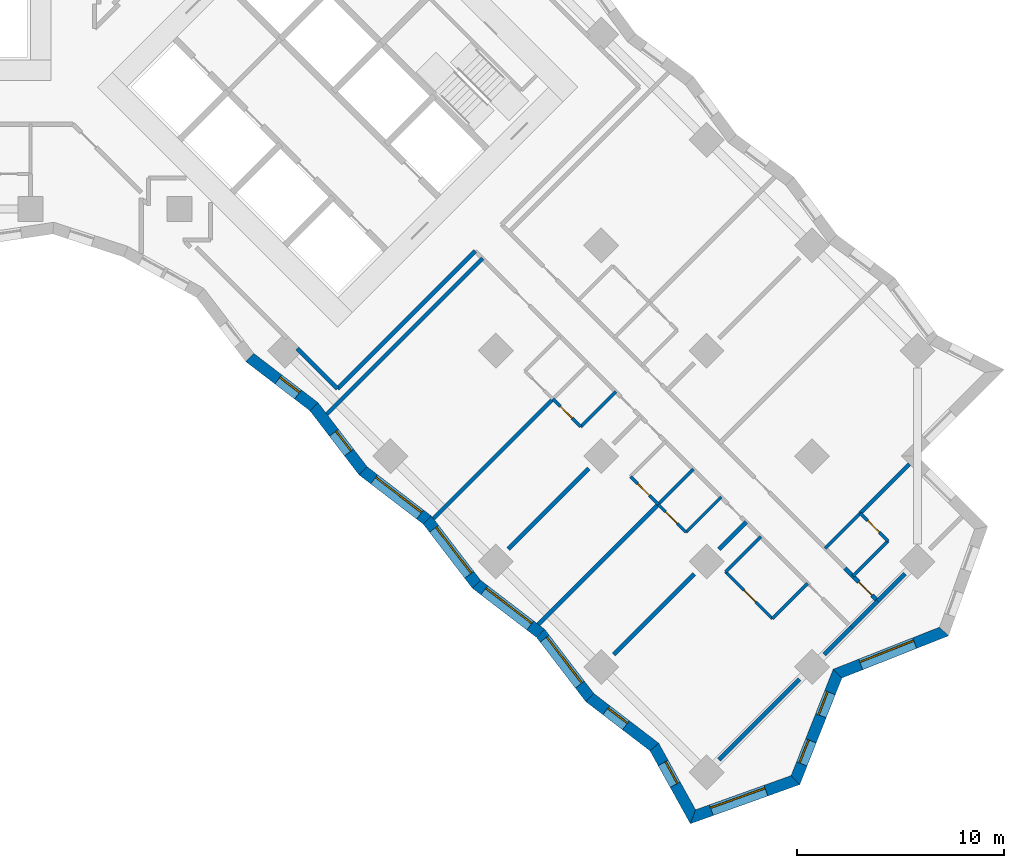
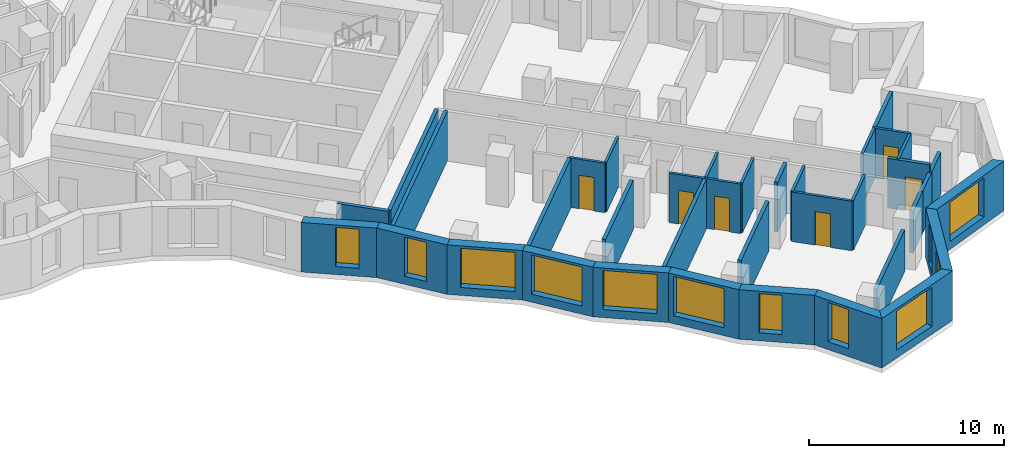
# One storey, part 7 of 12: 37 walls, 12 windows, 6 doors, 18 openings.
"""IFC4 building model written with IfcOpenShell, lengths in metres."""

from ifc_helpers import new_model, si_unit, direction, frame, frame_2d, origin, place, context, subcontext, project, spatial, polyline, rectangle, outline, extrude, material, layer, layer_set, type_object, element, fill, save


model = new_model("IFC4")

# Units and contexts
model_context = context("Model", 3, precision=1e-05, world=origin(), true_north=direction((0.0, 1.0)))
body_context = subcontext(model_context, "Body", "Model", "MODEL_VIEW")
ifc_project = project(units=[si_unit("LENGTHUNIT", "METRE"), si_unit("AREAUNIT", "SQUARE_METRE"), si_unit("VOLUMEUNIT", "CUBIC_METRE"), si_unit("PLANEANGLEUNIT", "RADIAN"), si_unit("MASSUNIT", "GRAM", prefix="KILO")], contexts=[model_context])

# Site, building, storey
site_placement = place(None, origin())
site = spatial("IfcSite", under=ifc_project, at=site_placement, CompositionType="ELEMENT")
building_placement = place(site_placement, origin())
building = spatial("IfcBuilding", under=site, at=building_placement, Name="Windrow Commons", CompositionType="ELEMENT")
storey_placement = place(building_placement, frame((0.0, 0.0, 50.8)))
storey = spatial("IfcBuildingStorey", under=building, at=storey_placement, Name="L13", CompositionType="ELEMENT", Elevation=50.8)

# Wall, opening, window
ifc_material_1 = material(Name="Brick masonry, red clay brick", Category="masonry")
ifc_layer_1 = layer(ifc_material_1, 0.55)
ifc_layer_set_1 = layer_set([ifc_layer_1], Name="Brick facade wall 550")
wall_type_1 = type_object("IfcWallType", Name="Brick facade wall 550", PredefinedType="SOLIDWALL", material=ifc_layer_set_1)
wall_1_placement = place(storey_placement, frame((103.9968, 13.8515, 0.0), z_axis=(0.0, 0.0, 1.0), x_axis=(0.9414545873, 0.3371398227, 0.0)))
wall_1 = element("IfcWall", 1, at=wall_1_placement, inside=storey, type_object=wall_type_1, Name="Brick facade wall L13 1", PredefinedType="SOLIDWALL", context=body_context, shape_type="SweptSolid", body=[
    extrude(outline(polyline([(-0.2338, -0.275), (5.3828, -0.275), (5.1338, 0.275), (0.2338, 0.275), (-0.2338, -0.275)])), origin(), (0.0, 0.0, 1.0), 3.1),
])
opening_1_placement = place(wall_1_placement, frame((0.9429, 0.0, 0.5)))
opening_1 = element("IfcOpeningElement", 2, at=opening_1_placement, cuts=wall_1, Name="Opening W1T", PredefinedType="OPENING", context=body_context, shape_type="SweptSolid", body=[
    extrude(rectangle(XDim=2.8, YDim=2.45, at=frame_2d((1.4, 1.225))), frame((0.0, 0.285, 0.0), z_axis=(0.0, -1.0, 0.0), x_axis=(1.0, 0.0, 0.0)), (0.0, 0.0, 1.0), 0.57),
])
ifc_material_2 = material(Name="Clear float glass in anodised aluminium frame", Category="aluminium")
window_type_1 = type_object("IfcWindowType", Name="Window W1T bedroom 2800x2450", PartitioningType="SINGLE_PANEL", PredefinedType="WINDOW", material=ifc_material_2)
window_1_placement = place(opening_1_placement, origin())
window_1 = element("IfcWindow", 3, at=window_1_placement, inside=storey, type_object=window_type_1, Name="Window L13 1.1", OverallHeight=2.45, OverallWidth=2.8, PartitioningType="SINGLE_PANEL", PredefinedType="WINDOW", context=body_context, shape_type="SweptSolid", body=[
    extrude(rectangle(XDim=2.8, YDim=2.45, at=frame_2d((1.4, 1.225))), frame((0.0, 0.155, 0.0), z_axis=(0.0, -1.0, 0.0), x_axis=(1.0, 0.0, 0.0)), (0.0, 0.0, 1.0), 0.06),
])
fill(opening_1, window_1)

# Wall, openings, windows
wall_2_placement = place(storey_placement, frame((108.9473, 15.6243, 0.0), z_axis=(0.0, 0.0, 1.0), x_axis=(0.3677360094, 0.9299302272, 0.0)))
wall_2 = element("IfcWall", 4, at=wall_2_placement, inside=storey, type_object=wall_type_1, Name="Brick facade wall L13 2", PredefinedType="SOLIDWALL", context=body_context, shape_type="SweptSolid", body=[
    extrude(outline(polyline([(-0.1245, -0.275), (5.4096, -0.275), (5.6478, 0.275), (0.1245, 0.275), (-0.1245, -0.275)])), origin(), (0.0, 0.0, 1.0), 3.1),
])
opening_2_placement = place(wall_2_placement, frame((0.8396, 0.0, 0.5)))
opening_2 = element("IfcOpeningElement", 5, at=opening_2_placement, cuts=wall_2, Name="Opening W7D", PredefinedType="OPENING", context=body_context, shape_type="SweptSolid", body=[
    extrude(rectangle(XDim=1.2, YDim=2.45, at=frame_2d((0.6, 1.225))), frame((0.0, 0.285, 0.0), z_axis=(0.0, -1.0, 0.0), x_axis=(1.0, 0.0, 0.0)), (0.0, 0.0, 1.0), 0.57),
])
opening_3_placement = place(wall_2_placement, frame((3.3417, 0.0, 0.5)))
opening_3 = element("IfcOpeningElement", 6, at=opening_3_placement, cuts=wall_2, Name="Opening W7D", PredefinedType="OPENING", context=body_context, shape_type="SweptSolid", body=[
    extrude(rectangle(XDim=1.2, YDim=2.45, at=frame_2d((0.6, 1.225))), frame((0.0, 0.285, 0.0), z_axis=(0.0, -1.0, 0.0), x_axis=(1.0, 0.0, 0.0)), (0.0, 0.0, 1.0), 0.57),
])
ifc_material_3 = material(Name="Clear float glass in anodised aluminium frame", Category="aluminium")
window_type_2 = type_object("IfcWindowType", Name="Window W7 notch 1200x2450", PartitioningType="SINGLE_PANEL", PredefinedType="WINDOW", material=ifc_material_3)
window_2_placement = place(opening_2_placement, origin())
window_2 = element("IfcWindow", 7, at=window_2_placement, inside=storey, type_object=window_type_2, Name="Window L13 2.1", OverallHeight=2.45, OverallWidth=1.2, PartitioningType="SINGLE_PANEL", PredefinedType="WINDOW", context=body_context, shape_type="SweptSolid", body=[
    extrude(rectangle(XDim=1.2, YDim=2.45, at=frame_2d((0.6, 1.225))), frame((0.0, 0.155, 0.0), z_axis=(0.0, -1.0, 0.0), x_axis=(1.0, 0.0, 0.0)), (0.0, 0.0, 1.0), 0.06),
])
fill(opening_2, window_2)
window_3_placement = place(opening_3_placement, origin())
window_3 = element("IfcWindow", 8, at=window_3_placement, inside=storey, type_object=window_type_2, Name="Window L13 2.2", OverallHeight=2.45, OverallWidth=1.2, PartitioningType="SINGLE_PANEL", PredefinedType="WINDOW", context=body_context, shape_type="SweptSolid", body=[
    extrude(rectangle(XDim=1.2, YDim=2.45, at=frame_2d((0.6, 1.225))), frame((0.0, 0.155, 0.0), z_axis=(0.0, -1.0, 0.0), x_axis=(1.0, 0.0, 0.0)), (0.0, 0.0, 1.0), 0.06),
])
fill(opening_3, window_3)

# Wall, opening, window
wall_3_placement = place(storey_placement, frame((110.9804, 20.7656, 0.0), z_axis=(0.0, 0.0, 1.0), x_axis=(0.9299302272, 0.3677360094, 0.0)))
wall_3 = element("IfcWall", 9, at=wall_3_placement, inside=storey, type_object=wall_type_1, Name="Brick facade wall L13 3", PredefinedType="SOLIDWALL", context=body_context, shape_type="SweptSolid", body=[
    extrude(outline(polyline([(0.1191, -0.275), (5.6532, -0.275), (5.4042, 0.275), (-0.1191, 0.275), (0.1191, -0.275)])), origin(), (0.0, 0.0, 1.0), 3.1),
])
opening_4_placement = place(wall_3_placement, frame((1.2019, 0.0, 0.5)))
opening_4 = element("IfcOpeningElement", 10, at=opening_4_placement, cuts=wall_3, Name="Opening W1T", PredefinedType="OPENING", context=body_context, shape_type="SweptSolid", body=[
    extrude(rectangle(XDim=2.8, YDim=2.45, at=frame_2d((1.4, 1.225))), frame((0.0, 0.285, 0.0), z_axis=(0.0, -1.0, 0.0), x_axis=(1.0, 0.0, 0.0)), (0.0, 0.0, 1.0), 0.57),
])
window_4_placement = place(opening_4_placement, origin())
window_4 = element("IfcWindow", 11, at=window_4_placement, inside=storey, type_object=window_type_1, Name="Window L13 3.1", OverallHeight=2.45, OverallWidth=2.8, PartitioningType="SINGLE_PANEL", PredefinedType="WINDOW", context=body_context, shape_type="SweptSolid", body=[
    extrude(rectangle(XDim=2.8, YDim=2.45, at=frame_2d((1.4, 1.225))), frame((0.0, 0.155, 0.0), z_axis=(0.0, -1.0, 0.0), x_axis=(1.0, 0.0, 0.0)), (0.0, 0.0, 1.0), 0.06),
])
fill(opening_4, window_4)

wall_4_placement = place(storey_placement, frame((82.5905, 36.0336, 0.0), z_axis=(0.0, 0.0, 1.0), x_axis=(0.7937155717, -0.6082890689, 0.0)))
wall_4 = element("IfcWall", 12, at=wall_4_placement, inside=storey, type_object=wall_type_1, Name="Brick facade wall L13 56", PredefinedType="SOLIDWALL", context=body_context, shape_type="SweptSolid", body=[
    extrude(outline(polyline([(-0.0364, -0.275), (3.8686, -0.275), (3.9414, 0.275), (0.0364, 0.275), (-0.0364, -0.275)])), origin(), (0.0, 0.0, 1.0), 3.1),
])
opening_5_placement = place(wall_4_placement, frame((1.7419, 0.0, 0.5)))
opening_5 = element("IfcOpeningElement", 13, at=opening_5_placement, cuts=wall_4, Name="Opening W7D", PredefinedType="OPENING", context=body_context, shape_type="SweptSolid", body=[
    extrude(rectangle(XDim=1.2, YDim=2.45, at=frame_2d((0.6, 1.225))), frame((0.0, 0.285, 0.0), z_axis=(0.0, -1.0, 0.0), x_axis=(1.0, 0.0, 0.0)), (0.0, 0.0, 1.0), 0.57),
])
window_5_placement = place(opening_5_placement, origin())
window_5 = element("IfcWindow", 14, at=window_5_placement, inside=storey, type_object=window_type_2, Name="Window L13 56.1", OverallHeight=2.45, OverallWidth=1.2, PartitioningType="SINGLE_PANEL", PredefinedType="WINDOW", context=body_context, shape_type="SweptSolid", body=[
    extrude(rectangle(XDim=1.2, YDim=2.45, at=frame_2d((0.6, 1.225))), frame((0.0, 0.155, 0.0), z_axis=(0.0, -1.0, 0.0), x_axis=(1.0, 0.0, 0.0)), (0.0, 0.0, 1.0), 0.06),
])
fill(opening_5, window_5)

wall_5_placement = place(storey_placement, frame((85.69, 33.6582, 0.0), z_axis=(0.0, 0.0, 1.0), x_axis=(0.6082890689, -0.7937155717, 0.0)))
wall_5 = element("IfcWall", 15, at=wall_5_placement, inside=storey, type_object=wall_type_1, Name="Brick facade wall L13 57", PredefinedType="SOLIDWALL", context=body_context, shape_type="SweptSolid", body=[
    extrude(outline(polyline([(0.0364, -0.275), (3.9414, -0.275), (3.8686, 0.275), (-0.0364, 0.275), (0.0364, -0.275)])), origin(), (0.0, 0.0, 1.0), 3.1),
])
opening_6_placement = place(wall_5_placement, frame((1.5869, 0.0, 0.5)))
opening_6 = element("IfcOpeningElement", 16, at=opening_6_placement, cuts=wall_5, Name="Opening W7D", PredefinedType="OPENING", context=body_context, shape_type="SweptSolid", body=[
    extrude(rectangle(XDim=1.2, YDim=2.45, at=frame_2d((0.6, 1.225))), frame((0.0, 0.285, 0.0), z_axis=(0.0, -1.0, 0.0), x_axis=(1.0, 0.0, 0.0)), (0.0, 0.0, 1.0), 0.57),
])
window_6_placement = place(opening_6_placement, origin())
window_6 = element("IfcWindow", 17, at=window_6_placement, inside=storey, type_object=window_type_2, Name="Window L13 57.1", OverallHeight=2.45, OverallWidth=1.2, PartitioningType="SINGLE_PANEL", PredefinedType="WINDOW", context=body_context, shape_type="SweptSolid", body=[
    extrude(rectangle(XDim=1.2, YDim=2.45, at=frame_2d((0.6, 1.225))), frame((0.0, 0.155, 0.0), z_axis=(0.0, -1.0, 0.0), x_axis=(1.0, 0.0, 0.0)), (0.0, 0.0, 1.0), 0.06),
])
fill(opening_6, window_6)

wall_6_placement = place(storey_placement, frame((88.0654, 30.5587, 0.0), z_axis=(0.0, 0.0, 1.0), x_axis=(0.7937184601, -0.6082852999, 0.0)))
wall_6 = element("IfcWall", 18, at=wall_6_placement, inside=storey, type_object=wall_type_1, Name="Brick facade wall L13 58", PredefinedType="SOLIDWALL", context=body_context, shape_type="SweptSolid", body=[
    extrude(outline(polyline([(-0.0364, -0.275), (3.8686, -0.275), (3.9414, 0.275), (0.0364, 0.275), (-0.0364, -0.275)])), origin(), (0.0, 0.0, 1.0), 3.1),
])
opening_7_placement = place(wall_6_placement, frame((0.6683, 0.0, 0.5)))
opening_7 = element("IfcOpeningElement", 19, at=opening_7_placement, cuts=wall_6, Name="Opening W1T", PredefinedType="OPENING", context=body_context, shape_type="SweptSolid", body=[
    extrude(rectangle(XDim=2.8, YDim=2.45, at=frame_2d((1.4, 1.225))), frame((0.0, 0.285, 0.0), z_axis=(0.0, -1.0, 0.0), x_axis=(1.0, 0.0, 0.0)), (0.0, 0.0, 1.0), 0.57),
])
window_7_placement = place(opening_7_placement, origin())
window_7 = element("IfcWindow", 20, at=window_7_placement, inside=storey, type_object=window_type_1, Name="Window L13 58.1", OverallHeight=2.45, OverallWidth=2.8, PartitioningType="SINGLE_PANEL", PredefinedType="WINDOW", context=body_context, shape_type="SweptSolid", body=[
    extrude(rectangle(XDim=2.8, YDim=2.45, at=frame_2d((1.4, 1.225))), frame((0.0, 0.155, 0.0), z_axis=(0.0, -1.0, 0.0), x_axis=(1.0, 0.0, 0.0)), (0.0, 0.0, 1.0), 0.06),
])
fill(opening_7, window_7)

wall_7_placement = place(storey_placement, frame((91.1648, 28.1834, 0.0), z_axis=(0.0, 0.0, 1.0), x_axis=(0.6082890689, -0.7937155717, 0.0)))
wall_7 = element("IfcWall", 21, at=wall_7_placement, inside=storey, type_object=wall_type_1, Name="Brick facade wall L13 59", PredefinedType="SOLIDWALL", context=body_context, shape_type="SweptSolid", body=[
    extrude(outline(polyline([(0.0364, -0.275), (3.9414, -0.275), (3.8686, 0.275), (-0.0364, 0.275), (0.0364, -0.275)])), origin(), (0.0, 0.0, 1.0), 3.1),
])
opening_8_placement = place(wall_7_placement, frame((0.5343, 0.0, 0.5)))
opening_8 = element("IfcOpeningElement", 22, at=opening_8_placement, cuts=wall_7, Name="Opening W1T", PredefinedType="OPENING", context=body_context, shape_type="SweptSolid", body=[
    extrude(rectangle(XDim=2.8, YDim=2.45, at=frame_2d((1.4, 1.225))), frame((0.0, 0.285, 0.0), z_axis=(0.0, -1.0, 0.0), x_axis=(1.0, 0.0, 0.0)), (0.0, 0.0, 1.0), 0.57),
])
window_8_placement = place(opening_8_placement, origin())
window_8 = element("IfcWindow", 23, at=window_8_placement, inside=storey, type_object=window_type_1, Name="Window L13 59.1", OverallHeight=2.45, OverallWidth=2.8, PartitioningType="SINGLE_PANEL", PredefinedType="WINDOW", context=body_context, shape_type="SweptSolid", body=[
    extrude(rectangle(XDim=2.8, YDim=2.45, at=frame_2d((1.4, 1.225))), frame((0.0, 0.155, 0.0), z_axis=(0.0, -1.0, 0.0), x_axis=(1.0, 0.0, 0.0)), (0.0, 0.0, 1.0), 0.06),
])
fill(opening_8, window_8)

wall_8_placement = place(storey_placement, frame((93.5402, 25.0839, 0.0), z_axis=(0.0, 0.0, 1.0), x_axis=(0.7937155717, -0.6082890689, 0.0)))
wall_8 = element("IfcWall", 24, at=wall_8_placement, inside=storey, type_object=wall_type_1, Name="Brick facade wall L13 60", PredefinedType="SOLIDWALL", context=body_context, shape_type="SweptSolid", body=[
    extrude(outline(polyline([(-0.0364, -0.275), (3.8686, -0.275), (3.9414, 0.275), (0.0364, 0.275), (-0.0364, -0.275)])), origin(), (0.0, 0.0, 1.0), 3.1),
])
opening_9_placement = place(wall_8_placement, frame((0.476, 0.0, 0.5)))
opening_9 = element("IfcOpeningElement", 25, at=opening_9_placement, cuts=wall_8, Name="Opening W1T", PredefinedType="OPENING", context=body_context, shape_type="SweptSolid", body=[
    extrude(rectangle(XDim=2.8, YDim=2.45, at=frame_2d((1.4, 1.225))), frame((0.0, 0.285, 0.0), z_axis=(0.0, -1.0, 0.0), x_axis=(1.0, 0.0, 0.0)), (0.0, 0.0, 1.0), 0.57),
])
window_9_placement = place(opening_9_placement, origin())
window_9 = element("IfcWindow", 26, at=window_9_placement, inside=storey, type_object=window_type_1, Name="Window L13 60.1", OverallHeight=2.45, OverallWidth=2.8, PartitioningType="SINGLE_PANEL", PredefinedType="WINDOW", context=body_context, shape_type="SweptSolid", body=[
    extrude(rectangle(XDim=2.8, YDim=2.45, at=frame_2d((1.4, 1.225))), frame((0.0, 0.155, 0.0), z_axis=(0.0, -1.0, 0.0), x_axis=(1.0, 0.0, 0.0)), (0.0, 0.0, 1.0), 0.06),
])
fill(opening_9, window_9)

wall_9_placement = place(storey_placement, frame((96.6397, 22.7085, 0.0), z_axis=(0.0, 0.0, 1.0), x_axis=(0.6083014327, -0.7937060961, 0.0)))
wall_9 = element("IfcWall", 27, at=wall_9_placement, inside=storey, type_object=wall_type_1, Name="Brick facade wall L13 61", PredefinedType="SOLIDWALL", context=body_context, shape_type="SweptSolid", body=[
    extrude(outline(polyline([(0.0364, -0.275), (3.9414, -0.275), (3.8686, 0.275), (-0.0364, 0.275), (0.0364, -0.275)])), origin(), (0.0, 0.0, 1.0), 3.1),
])
opening_10_placement = place(wall_9_placement, frame((0.321, 0.0, 0.5)))
opening_10 = element("IfcOpeningElement", 28, at=opening_10_placement, cuts=wall_9, Name="Opening W1T", PredefinedType="OPENING", context=body_context, shape_type="SweptSolid", body=[
    extrude(rectangle(XDim=2.8, YDim=2.45, at=frame_2d((1.4, 1.225))), frame((0.0, 0.285, 0.0), z_axis=(0.0, -1.0, 0.0), x_axis=(1.0, 0.0, 0.0)), (0.0, 0.0, 1.0), 0.57),
])
window_10_placement = place(opening_10_placement, origin())
window_10 = element("IfcWindow", 29, at=window_10_placement, inside=storey, type_object=window_type_1, Name="Window L13 61.1", OverallHeight=2.45, OverallWidth=2.8, PartitioningType="SINGLE_PANEL", PredefinedType="WINDOW", context=body_context, shape_type="SweptSolid", body=[
    extrude(rectangle(XDim=2.8, YDim=2.45, at=frame_2d((1.4, 1.225))), frame((0.0, 0.155, 0.0), z_axis=(0.0, -1.0, 0.0), x_axis=(1.0, 0.0, 0.0)), (0.0, 0.0, 1.0), 0.06),
])
fill(opening_10, window_10)

wall_10_placement = place(storey_placement, frame((99.0151, 19.6091, 0.0), z_axis=(0.0, 0.0, 1.0), x_axis=(0.7937059715, -0.6083015953, 0.0)))
wall_10 = element("IfcWall", 30, at=wall_10_placement, inside=storey, type_object=wall_type_1, Name="Brick facade wall L13 62", PredefinedType="SOLIDWALL", context=body_context, shape_type="SweptSolid", body=[
    extrude(outline(polyline([(-0.0364, -0.275), (3.8686, -0.275), (3.9833, 0.275), (0.0364, 0.275), (-0.0364, -0.275)])), origin(), (0.0, 0.0, 1.0), 3.1),
])
opening_11_placement = place(wall_10_placement, frame((1.0023, 0.0, 0.5)))
opening_11 = element("IfcOpeningElement", 31, at=opening_11_placement, cuts=wall_10, Name="Opening W7D", PredefinedType="OPENING", context=body_context, shape_type="SweptSolid", body=[
    extrude(rectangle(XDim=1.2, YDim=2.45, at=frame_2d((0.6, 1.225))), frame((0.0, 0.285, 0.0), z_axis=(0.0, -1.0, 0.0), x_axis=(1.0, 0.0, 0.0)), (0.0, 0.0, 1.0), 0.57),
])
window_11_placement = place(opening_11_placement, origin())
window_11 = element("IfcWindow", 32, at=window_11_placement, inside=storey, type_object=window_type_2, Name="Window L13 62.1", OverallHeight=2.45, OverallWidth=1.2, PartitioningType="SINGLE_PANEL", PredefinedType="WINDOW", context=body_context, shape_type="SweptSolid", body=[
    extrude(rectangle(XDim=1.2, YDim=2.45, at=frame_2d((0.6, 1.225))), frame((0.0, 0.155, 0.0), z_axis=(0.0, -1.0, 0.0), x_axis=(1.0, 0.0, 0.0)), (0.0, 0.0, 1.0), 0.06),
])
fill(opening_11, window_11)

wall_11_placement = place(storey_placement, frame((102.1312, 17.2209, 0.0), z_axis=(0.0, 0.0, 1.0), x_axis=(0.4843946683, -0.8748495901, 0.0)))
wall_11 = element("IfcWall", 33, at=wall_11_placement, inside=storey, type_object=wall_type_1, Name="Brick facade wall L13 63", PredefinedType="SOLIDWALL", context=body_context, shape_type="SweptSolid", body=[
    extrude(outline(polyline([(0.0574, -0.275), (4.0852, -0.275), (3.6177, 0.275), (-0.0574, 0.275), (0.0574, -0.275)])), origin(), (0.0, 0.0, 1.0), 3.1),
])
opening_12_placement = place(wall_11_placement, frame((0.8789, 0.0, 0.5)))
opening_12 = element("IfcOpeningElement", 34, at=opening_12_placement, cuts=wall_11, Name="Opening W7D", PredefinedType="OPENING", context=body_context, shape_type="SweptSolid", body=[
    extrude(rectangle(XDim=1.2, YDim=2.45, at=frame_2d((0.6, 1.225))), frame((0.0, 0.285, 0.0), z_axis=(0.0, -1.0, 0.0), x_axis=(1.0, 0.0, 0.0)), (0.0, 0.0, 1.0), 0.57),
])
window_12_placement = place(opening_12_placement, origin())
window_12 = element("IfcWindow", 35, at=window_12_placement, inside=storey, type_object=window_type_2, Name="Window L13 63.1", OverallHeight=2.45, OverallWidth=1.2, PartitioningType="SINGLE_PANEL", PredefinedType="WINDOW", context=body_context, shape_type="SweptSolid", body=[
    extrude(rectangle(XDim=1.2, YDim=2.45, at=frame_2d((0.6, 1.225))), frame((0.0, 0.155, 0.0), z_axis=(0.0, -1.0, 0.0), x_axis=(1.0, 0.0, 0.0)), (0.0, 0.0, 1.0), 0.06),
])
fill(opening_12, window_12)

# Walls
ifc_material_4 = material(Name="Blockwork partition", Category="masonry")
ifc_layer_2 = layer(ifc_material_4, 0.2)
ifc_layer_set_2 = layer_set([ifc_layer_2], Name="IW-CORRIDOR-200")
wall_type_2 = type_object("IfcWallType", Name="IW-CORRIDOR-200", PredefinedType="PARTITIONING", material=ifc_layer_set_2)
wall_12_placement = place(storey_placement, frame((86.8359, 34.5241, 0.0), z_axis=(0.0, 0.0, 1.0), x_axis=(0.7071067812, 0.7071067812, 0.0)))
element("IfcWall", 36, at=wall_12_placement, inside=storey, type_object=wall_type_2, Name="W-L13-W013", PredefinedType="PARTITIONING", context=body_context, shape_type="SweptSolid", body=[
    extrude(rectangle(XDim=9.3989, YDim=0.2, at=frame_2d((4.6994, 0.0))), origin(), (0.0, 0.0, 1.0), 3.1),
])
wall_13_placement = place(storey_placement, frame((84.8888, 36.4648, 0.0), z_axis=(0.0, 0.0, 1.0), x_axis=(0.7071067812, -0.7071067812, 0.0)))
element("IfcWall", 37, at=wall_13_placement, inside=storey, type_object=wall_type_2, Name="W-L13-W058", PredefinedType="PARTITIONING", context=body_context, shape_type="SweptSolid", body=[
    extrude(rectangle(XDim=2.7492, YDim=0.2, at=frame_2d((1.3746, 0.0))), origin(), (0.0, 0.0, 1.0), 3.1),
])

# Wall, opening, door
wall_14_placement = place(storey_placement, frame((112.9254, 24.2674, 0.0), z_axis=(0.0, 0.0, 1.0), x_axis=(-0.7068383786, 0.707375082, 0.0)))
wall_14 = element("IfcWall", 38, at=wall_14_placement, inside=storey, type_object=wall_type_2, Name="W-L13-W095", PredefinedType="PARTITIONING", context=body_context, shape_type="SweptSolid", body=[
    extrude(rectangle(XDim=2.2359, YDim=0.2, at=frame_2d((1.1179, 0.0))), origin(), (0.0, 0.0, 1.0), 3.1),
])
opening_13_placement = place(wall_14_placement, frame((0.3995, 0.0, 0.0)))
opening_13 = element("IfcOpeningElement", 39, at=opening_13_placement, cuts=wall_14, Name="Opening D109S", PredefinedType="OPENING", context=body_context, shape_type="SweptSolid", body=[
    extrude(rectangle(XDim=0.9, YDim=2.1, at=frame_2d((0.45, 1.05))), frame((0.0, 0.11, 0.0), z_axis=(0.0, -1.0, 0.0), x_axis=(1.0, 0.0, 0.0)), (0.0, 0.0, 1.0), 0.22),
])
ifc_material_5 = material(Name="Timber door leaf", Category="wood")
door_type_1 = type_object("IfcDoorType", Name="DT-BEDROOM-900", OperationType="SINGLE_SWING_LEFT", PredefinedType="DOOR", material=ifc_material_5)
door_1_placement = place(opening_13_placement, origin())
door_1 = element("IfcDoor", 40, at=door_1_placement, inside=storey, type_object=door_type_1, Name="D-L13-D048", OperationType="SINGLE_SWING_RIGHT", OverallHeight=2.1, OverallWidth=0.9, PredefinedType="DOOR", context=body_context, shape_type="SweptSolid", body=[
    extrude(rectangle(XDim=0.9, YDim=2.1, at=frame_2d((0.45, 1.05))), frame((0.0, 0.025, 0.0), z_axis=(0.0, -1.0, 0.0), x_axis=(1.0, 0.0, 0.0)), (0.0, 0.0, 1.0), 0.05),
])
fill(opening_13, door_1)

# Wall
wall_15_placement = place(storey_placement, frame((111.6555, 22.9985, 0.0), z_axis=(0.0, 0.0, 1.0), x_axis=(0.7071067812, 0.7071067812, 0.0)))
element("IfcWall", 41, at=wall_15_placement, inside=storey, type_object=wall_type_2, Name="W-L13-W130", PredefinedType="PARTITIONING", context=body_context, shape_type="SweptSolid", body=[
    extrude(rectangle(XDim=1.7989, YDim=0.2, at=frame_2d((0.8994, 0.0))), origin(), (0.0, 0.0, 1.0), 2.6),
])

# Wall, opening, door
ifc_material_6 = material(Name="Blockwork partition", Category="masonry")
ifc_layer_3 = layer(ifc_material_6, 0.15)
ifc_layer_set_3 = layer_set([ifc_layer_3], Name="IW-ENSUITE-150")
wall_type_3 = type_object("IfcWallType", Name="IW-ENSUITE-150", PredefinedType="PARTITIONING", material=ifc_layer_set_3)
wall_16_placement = place(storey_placement, frame((105.5726, 25.6806, 0.0), z_axis=(0.0, 0.0, 1.0), x_axis=(0.7071067812, -0.7071067812, 0.0)))
wall_16 = element("IfcWall", 42, at=wall_16_placement, inside=storey, type_object=wall_type_3, Name="W-L13-W054", PredefinedType="PARTITIONING", context=body_context, shape_type="SweptSolid", body=[
    extrude(rectangle(XDim=3.199, YDim=0.15, at=frame_2d((1.5995, 0.0))), origin(), (0.0, 0.0, 1.0), 3.1),
])
opening_14_placement = place(wall_16_placement, frame((1.2585, 0.0, 0.0)))
opening_14 = element("IfcOpeningElement", 43, at=opening_14_placement, cuts=wall_16, Name="Opening D208N", PredefinedType="OPENING", context=body_context, shape_type="SweptSolid", body=[
    extrude(rectangle(XDim=0.8, YDim=2.1, at=frame_2d((0.4, 1.05))), frame((0.0, 0.085, 0.0), z_axis=(0.0, -1.0, 0.0), x_axis=(1.0, 0.0, 0.0)), (0.0, 0.0, 1.0), 0.17),
])
ifc_material_7 = material(Name="Timber door leaf", Category="wood")
door_type_2 = type_object("IfcDoorType", Name="DT-ENSUITE-800", OperationType="SINGLE_SWING_LEFT", PredefinedType="DOOR", material=ifc_material_7)
door_2_placement = place(opening_14_placement, origin())
door_2 = element("IfcDoor", 44, at=door_2_placement, inside=storey, type_object=door_type_2, Name="D-L13-D047", OperationType="SINGLE_SWING_RIGHT", OverallHeight=2.1, OverallWidth=0.8, PredefinedType="DOOR", context=body_context, shape_type="SweptSolid", body=[
    extrude(rectangle(XDim=0.8, YDim=2.1, at=frame_2d((0.4, 1.05))), frame((0.0, 0.025, 0.0), z_axis=(0.0, -1.0, 0.0), x_axis=(1.0, 0.0, 0.0)), (0.0, 0.0, 1.0), 0.05),
])
fill(opening_14, door_2)

# Walls
for number, where, z_axis, x_axis, name in (
    (45, (111.7254, 25.4726, 0.0), (0.0, 0.0, 1.0), (0.7071067812, 0.7071067812, 0.0), "W-L13-W066"),
    (46, (98.5731, 32.6849, 0.0), (0.0, 0.0, 1.0), (0.7071067812, 0.7071067812, 0.0), "W-L13-W067"),
):
    element("IfcWall", number, at=place(storey_placement, frame(where, z_axis=z_axis, x_axis=x_axis)), inside=storey, type_object=wall_type_3, Name=name, PredefinedType="PARTITIONING", context=body_context, shape_type="SweptSolid", body=[
        extrude(rectangle(XDim=2.4013, YDim=0.15, at=frame_2d((1.2006, 0.0))), origin(), (0.0, 0.0, 1.0), 3.1),
    ])
wall_17_placement = place(storey_placement, frame((105.5782, 25.6818, 0.0), z_axis=(0.0, 0.0, 1.0), x_axis=(0.706689978, 0.7075233388, 0.0)))
element("IfcWall", 47, at=wall_17_placement, inside=storey, type_object=wall_type_3, Name="W-L13-W084", PredefinedType="PARTITIONING", context=body_context, shape_type="SweptSolid", body=[
    extrude(rectangle(XDim=2.3999, YDim=0.15, at=frame_2d((1.2, 0.0))), origin(), (0.0, 0.0, 1.0), 3.1),
])
for number, where, z_axis, x_axis, name in (
    (48, (110.3829, 26.8171, 0.0), (0.0, 0.0, 1.0), (0.7071067812, 0.7071067812, 0.0), "W-L13-W088"),
    (49, (102.3228, 28.9392, 0.0), (0.0, 0.0, 1.0), (0.7071067812, 0.7071067812, 0.0), "W-L13-W091"),
    (50, (103.6653, 27.5947, 0.0), (0.0, 0.0, 1.0), (0.7071067812, 0.7071067812, 0.0), "W-L13-W092"),
    (51, (107.8372, 23.4228, 0.0), (0.0, 0.0, 1.0), (0.7071067812, 0.7071067812, 0.0), "W-L13-W093"),
):
    element("IfcWall", number, at=place(storey_placement, frame(where, z_axis=z_axis, x_axis=x_axis)), inside=storey, type_object=wall_type_3, Name=name, PredefinedType="PARTITIONING", context=body_context, shape_type="SweptSolid", body=[
        extrude(rectangle(XDim=2.3985, YDim=0.15, at=frame_2d((1.1992, 0.0))), origin(), (0.0, 0.0, 1.0), 3.1),
    ])

# Wall, opening, door
wall_18_placement = place(storey_placement, frame((100.9807, 30.2827, 0.0), z_axis=(0.0, 0.0, 1.0), x_axis=(0.7076330979, -0.7065800724, 0.0)))
wall_18 = element("IfcWall", 52, at=wall_18_placement, inside=storey, type_object=wall_type_3, Name="W-L13-W116", PredefinedType="PARTITIONING", context=body_context, shape_type="SweptSolid", body=[
    extrude(rectangle(XDim=1.8993, YDim=0.15, at=frame_2d((0.9496, 0.0))), origin(), (0.0, 0.0, 1.0), 3.1),
])
opening_15_placement = place(wall_18_placement, frame((0.4932, 0.0, 0.0)))
opening_15 = element("IfcOpeningElement", 53, at=opening_15_placement, cuts=wall_18, Name="Opening D208N", PredefinedType="OPENING", context=body_context, shape_type="SweptSolid", body=[
    extrude(rectangle(XDim=0.8, YDim=2.1, at=frame_2d((0.4, 1.05))), frame((0.0, 0.085, 0.0), z_axis=(0.0, -1.0, 0.0), x_axis=(1.0, 0.0, 0.0)), (0.0, 0.0, 1.0), 0.17),
])
door_3_placement = place(opening_15_placement, origin())
door_3 = element("IfcDoor", 54, at=door_3_placement, inside=storey, type_object=door_type_2, Name="D-L13-D043", OperationType="SINGLE_SWING_RIGHT", OverallHeight=2.1, OverallWidth=0.8, PredefinedType="DOOR", context=body_context, shape_type="SweptSolid", body=[
    extrude(rectangle(XDim=0.8, YDim=2.1, at=frame_2d((0.4, 1.05))), frame((0.0, 0.025, 0.0), z_axis=(0.0, -1.0, 0.0), x_axis=(1.0, 0.0, 0.0)), (0.0, 0.0, 1.0), 0.05),
])
fill(opening_15, door_3)

wall_19_placement = place(storey_placement, frame((97.2334, 34.0294, 0.0), z_axis=(0.0, 0.0, 1.0), x_axis=(0.7065800724, -0.7076330979, 0.0)))
wall_19 = element("IfcWall", 55, at=wall_19_placement, inside=storey, type_object=wall_type_3, Name="W-L13-W117", PredefinedType="PARTITIONING", context=body_context, shape_type="SweptSolid", body=[
    extrude(rectangle(XDim=1.8993, YDim=0.15, at=frame_2d((0.9496, 0.0))), origin(), (0.0, 0.0, 1.0), 3.1),
])
opening_16_placement = place(wall_19_placement, frame((0.5153, 0.0, 0.0)))
opening_16 = element("IfcOpeningElement", 56, at=opening_16_placement, cuts=wall_19, Name="Opening D208N", PredefinedType="OPENING", context=body_context, shape_type="SweptSolid", body=[
    extrude(rectangle(XDim=0.8, YDim=2.1, at=frame_2d((0.4, 1.05))), frame((0.0, 0.085, 0.0), z_axis=(0.0, -1.0, 0.0), x_axis=(1.0, 0.0, 0.0)), (0.0, 0.0, 1.0), 0.17),
])
door_4_placement = place(opening_16_placement, origin())
door_4 = element("IfcDoor", 57, at=door_4_placement, inside=storey, type_object=door_type_2, Name="D-L13-D041", OperationType="SINGLE_SWING_RIGHT", OverallHeight=2.1, OverallWidth=0.8, PredefinedType="DOOR", context=body_context, shape_type="SweptSolid", body=[
    extrude(rectangle(XDim=0.8, YDim=2.1, at=frame_2d((0.4, 1.05))), frame((0.0, 0.025, 0.0), z_axis=(0.0, -1.0, 0.0), x_axis=(1.0, 0.0, 0.0)), (0.0, 0.0, 1.0), 0.05),
])
fill(opening_16, door_4)

wall_20_placement = place(storey_placement, frame((102.3206, 28.9346, 0.0), z_axis=(0.0, 0.0, 1.0), x_axis=(0.7065800724, -0.7076330979, 0.0)))
wall_20 = element("IfcWall", 58, at=wall_20_placement, inside=storey, type_object=wall_type_3, Name="W-L13-W118", PredefinedType="PARTITIONING", context=body_context, shape_type="SweptSolid", body=[
    extrude(rectangle(XDim=1.8993, YDim=0.15, at=frame_2d((0.9496, 0.0))), origin(), (0.0, 0.0, 1.0), 3.1),
])
opening_17_placement = place(wall_20_placement, frame((0.5015, 0.0, 0.0)))
opening_17 = element("IfcOpeningElement", 59, at=opening_17_placement, cuts=wall_20, Name="Opening D208N", PredefinedType="OPENING", context=body_context, shape_type="SweptSolid", body=[
    extrude(rectangle(XDim=0.8, YDim=2.1, at=frame_2d((0.4, 1.05))), frame((0.0, 0.085, 0.0), z_axis=(0.0, -1.0, 0.0), x_axis=(1.0, 0.0, 0.0)), (0.0, 0.0, 1.0), 0.17),
])
door_5_placement = place(opening_17_placement, origin())
door_5 = element("IfcDoor", 60, at=door_5_placement, inside=storey, type_object=door_type_2, Name="D-L13-D045", OperationType="SINGLE_SWING_RIGHT", OverallHeight=2.1, OverallWidth=0.8, PredefinedType="DOOR", context=body_context, shape_type="SweptSolid", body=[
    extrude(rectangle(XDim=0.8, YDim=2.1, at=frame_2d((0.4, 1.05))), frame((0.0, 0.025, 0.0), z_axis=(0.0, -1.0, 0.0), x_axis=(1.0, 0.0, 0.0)), (0.0, 0.0, 1.0), 0.05),
])
fill(opening_17, door_5)

wall_21_placement = place(storey_placement, frame((112.0803, 28.5123, 0.0), z_axis=(0.0, 0.0, 1.0), x_axis=(0.7076330979, -0.7065800724, 0.0)))
wall_21 = element("IfcWall", 61, at=wall_21_placement, inside=storey, type_object=wall_type_3, Name="W-L13-W119", PredefinedType="PARTITIONING", context=body_context, shape_type="SweptSolid", body=[
    extrude(rectangle(XDim=1.8993, YDim=0.15, at=frame_2d((0.9496, 0.0))), origin(), (0.0, 0.0, 1.0), 3.1),
])
opening_18_placement = place(wall_21_placement, frame((0.5046, 0.0, 0.0)))
opening_18 = element("IfcOpeningElement", 62, at=opening_18_placement, cuts=wall_21, Name="Opening D208N", PredefinedType="OPENING", context=body_context, shape_type="SweptSolid", body=[
    extrude(rectangle(XDim=0.8, YDim=2.1, at=frame_2d((0.4, 1.05))), frame((0.0, 0.085, 0.0), z_axis=(0.0, -1.0, 0.0), x_axis=(1.0, 0.0, 0.0)), (0.0, 0.0, 1.0), 0.17),
])
door_6_placement = place(opening_18_placement, origin())
door_6 = element("IfcDoor", 63, at=door_6_placement, inside=storey, type_object=door_type_2, Name="D-L13-D049", OperationType="SINGLE_SWING_RIGHT", OverallHeight=2.1, OverallWidth=0.8, PredefinedType="DOOR", context=body_context, shape_type="SweptSolid", body=[
    extrude(rectangle(XDim=0.8, YDim=2.1, at=frame_2d((0.4, 1.05))), frame((0.0, 0.025, 0.0), z_axis=(0.0, -1.0, 0.0), x_axis=(1.0, 0.0, 0.0)), (0.0, 0.0, 1.0), 0.05),
])
fill(opening_18, door_6)

# Walls
ifc_material_8 = material(Name="Blockwork partition", Category="masonry")
ifc_layer_4 = layer(ifc_material_8, 0.2)
ifc_layer_set_4 = layer_set([ifc_layer_4], Name="IW-PARTY-200")
wall_type_4 = type_object("IfcWallType", Name="IW-PARTY-200", PredefinedType="PARTITIONING", material=ifc_layer_set_4)
wall_22_placement = place(storey_placement, frame((86.3144, 33.2955, 0.0), z_axis=(0.0, 0.0, 1.0), x_axis=(0.7071020809, 0.7071114814, 0.0)))
element("IfcWall", 64, at=wall_22_placement, inside=storey, type_object=wall_type_4, Name="W-L13-W010", PredefinedType="PARTITIONING", context=body_context, shape_type="SweptSolid", body=[
    extrude(rectangle(XDim=10.6378, YDim=0.2, at=frame_2d((5.3189, 0.0))), origin(), (0.0, 0.0, 1.0), 3.1),
])
wall_23_placement = place(storey_placement, frame((96.5258, 23.1423, 0.0), z_axis=(0.0, 0.0, 1.0), x_axis=(0.7071128801, 0.7071006822, 0.0)))
element("IfcWall", 65, at=wall_23_placement, inside=storey, type_object=wall_type_4, Name="W-L13-W020", PredefinedType="PARTITIONING", context=body_context, shape_type="SweptSolid", body=[
    extrude(rectangle(XDim=8.1981, YDim=0.2, at=frame_2d((4.0991, 0.0))), origin(), (0.0, 0.0, 1.0), 3.1),
])
wall_24_placement = place(storey_placement, frame((91.4593, 28.2512, 0.0), z_axis=(0.0, 0.0, 1.0), x_axis=(0.7072230972, 0.706990446, 0.0)))
element("IfcWall", 66, at=wall_24_placement, inside=storey, type_object=wall_type_4, Name="W-L13-W021", PredefinedType="PARTITIONING", context=body_context, shape_type="SweptSolid", body=[
    extrude(rectangle(XDim=8.1667, YDim=0.2, at=frame_2d((4.0834, 0.0))), origin(), (0.0, 0.0, 1.0), 3.1),
])
wall_25_placement = place(storey_placement, frame((100.1624, 21.6876, 0.0), z_axis=(0.0, 0.0, 1.0), x_axis=(0.7071067812, 0.7071067812, 0.0)))
element("IfcWall", 67, at=wall_25_placement, inside=storey, type_object=wall_type_4, Name="W-L13-W035", PredefinedType="PARTITIONING", context=body_context, shape_type="SweptSolid", body=[
    extrude(rectangle(XDim=5.5069, YDim=0.2, at=frame_2d((2.7534, 0.0))), origin(), (0.0, 0.0, 1.0), 3.1),
])
wall_26_placement = place(storey_placement, frame((105.2555, 16.5985, 0.0), z_axis=(0.0, 0.0, 1.0), x_axis=(0.7071067812, 0.7071067812, 0.0)))
element("IfcWall", 68, at=wall_26_placement, inside=storey, type_object=wall_type_4, Name="W-L13-W036", PredefinedType="PARTITIONING", context=body_context, shape_type="SweptSolid", body=[
    extrude(rectangle(XDim=5.5041, YDim=0.2, at=frame_2d((2.7521, 0.0))), origin(), (0.0, 0.0, 1.0), 2.6),
])
wall_27_placement = place(storey_placement, frame((95.0732, 26.7808, 0.0), z_axis=(0.0, 0.0, 1.0), x_axis=(0.7071067812, 0.7071067812, 0.0)))
element("IfcWall", 69, at=wall_27_placement, inside=storey, type_object=wall_type_4, Name="W-L13-W038", PredefinedType="PARTITIONING", context=body_context, shape_type="SweptSolid", body=[
    extrude(rectangle(XDim=5.5013, YDim=0.2, at=frame_2d((2.7506, 0.0))), origin(), (0.0, 0.0, 1.0), 3.1),
])
wall_28_placement = place(storey_placement, frame((112.0789, 28.5131, 0.0), z_axis=(0.0, 0.0, 1.0), x_axis=(0.7071067812, 0.7071067812, 0.0)))
element("IfcWall", 70, at=wall_28_placement, inside=storey, type_object=wall_type_4, Name="W-L13-W053", PredefinedType="PARTITIONING", context=body_context, shape_type="SweptSolid", body=[
    extrude(rectangle(XDim=3.351, YDim=0.2, at=frame_2d((1.6755, 0.0))), origin(), (0.0, 0.0, 1.0), 3.1),
])
for number, where, z_axis, x_axis, name in (
    (71, (110.3455, 21.6885, 0.0), (0.0, 0.0, 1.0), (0.7071067812, 0.7071067812, 0.0), "W-L13-W120"),
    (72, (112.9275, 24.2705, 0.0), (0.0, 0.0, 1.0), (0.7071067812, 0.7071067812, 0.0), "W-L13-W122"),
):
    element("IfcWall", number, at=place(storey_placement, frame(where, z_axis=z_axis, x_axis=x_axis)), inside=storey, type_object=wall_type_4, Name=name, PredefinedType="PARTITIONING", context=body_context, shape_type="SweptSolid", body=[
        extrude(rectangle(XDim=1.8526, YDim=0.2, at=frame_2d((0.9263, 0.0))), origin(), (0.0, 0.0, 1.0), 2.6),
    ])
wall_29_placement = place(storey_placement, frame((105.2563, 26.7797, 0.0), z_axis=(0.0, 0.0, 1.0), x_axis=(0.7076467632, 0.7065663865, 0.0)))
element("IfcWall", 73, at=wall_29_placement, inside=storey, type_object=wall_type_4, Name="W-L13-W123", PredefinedType="PARTITIONING", context=body_context, shape_type="SweptSolid", body=[
    extrude(rectangle(XDim=1.8512, YDim=0.2, at=frame_2d((0.9256, 0.0))), origin(), (0.0, 0.0, 1.0), 3.1),
])

save(model, "model.ifc")
